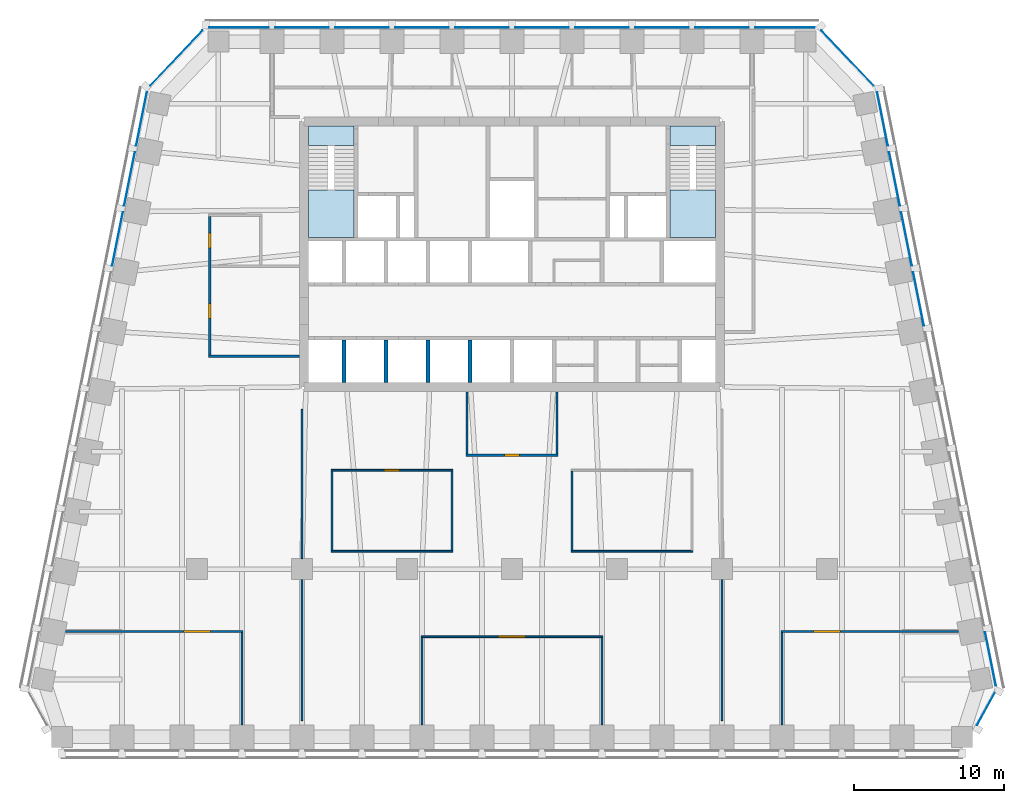
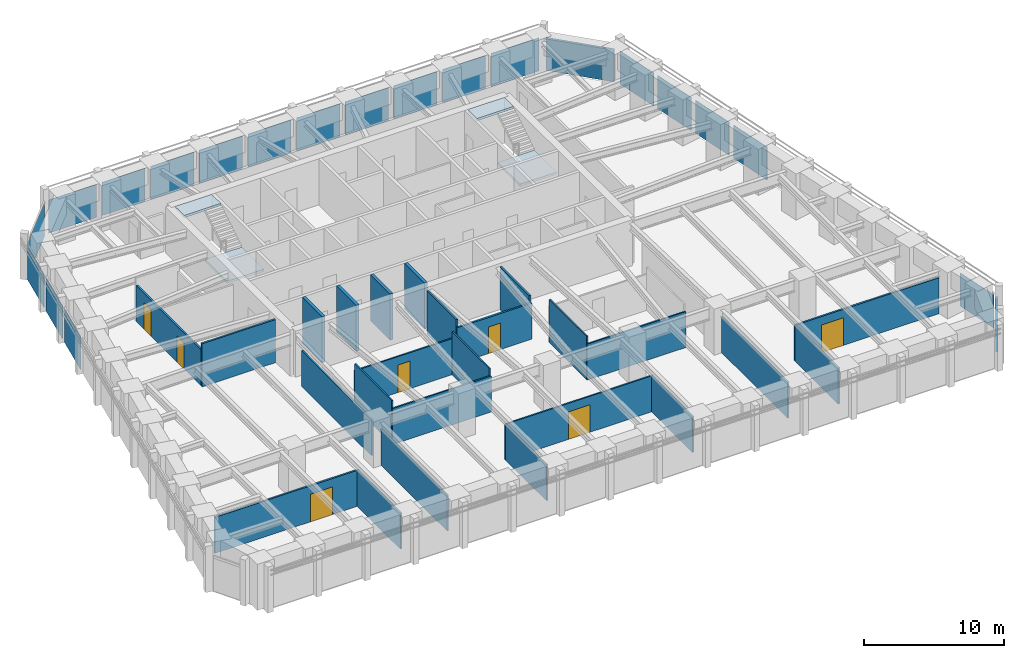
# One storey, part 5 of 10: 25 walls, 21 plates, 7 doors, 4 slabs, 7 openings, 8 elements without a shape of their own.
"""IFC4 building model written with IfcOpenShell, lengths in metres."""

from ifc_helpers import new_model, si_unit, direction, frame, frame_2d, origin, origin_2d, place, context, subcontext, project, spatial, polyline, rectangle, outline, extrude, material, layer, layer_set, type_object, element, fill, aggregate, save


model = new_model("IFC4")

# Units and contexts
model_context = context("Model", 3, precision=1e-05, world=origin(), true_north=direction((0.0, 1.0)))
body_context = subcontext(model_context, "Body", "Model", "MODEL_VIEW")
ifc_project = project(units=[si_unit("LENGTHUNIT", "METRE"), si_unit("AREAUNIT", "SQUARE_METRE"), si_unit("VOLUMEUNIT", "CUBIC_METRE"), si_unit("PLANEANGLEUNIT", "RADIAN"), si_unit("MASSUNIT", "GRAM", prefix="KILO")], contexts=[model_context])

# Site, building, storey
site_placement = place(None, origin())
site = spatial("IfcSite", under=ifc_project, at=site_placement, CompositionType="ELEMENT")
building_placement = place(site_placement, origin())
building = spatial("IfcBuilding", under=site, at=building_placement, Name="Isbrekke Arena Tower", CompositionType="ELEMENT")
storey_placement = place(building_placement, frame((0.0, 0.0, 238.0)))
storey = spatial("IfcBuildingStorey", under=building, at=storey_placement, Name="L55", CompositionType="ELEMENT", Elevation=238.0)

# Curtain wall, plate
ifc_material_1 = material(Name="Glazed aluminium curtain wall", Category="aluminium")
curtain_wall_type = type_object("IfcCurtainWallType", Name="CWH TOWER CURTAIN WALL HIGH ZONE", PredefinedType="USERDEFINED", material=ifc_material_1)
curtain_wall_1_placement = place(storey_placement, origin())
curtain_wall_1 = element("IfcCurtainWall", 1, at=curtain_wall_1_placement, inside=storey, type_object=curtain_wall_type, Name="CWH curtain wall L55-SE", ObjectType="TOWER CURTAIN WALL HIGH ZONE", PredefinedType="USERDEFINED")
ifc_material_2 = material(Name="Triple-glazed clear glass unit", Category="glass")
ifc_layer_1 = layer(ifc_material_2, 0.031982421875)
ifc_layer_set_1 = layer_set([ifc_layer_1], Name="CWH-P VISION PANEL")
plate_type = type_object("IfcPlateType", Name="CWH-P VISION PANEL", PredefinedType="CURTAIN_PANEL", material=ifc_layer_set_1)
plate_1_placement = place(storey_placement, frame((31.5908203125, -15.3154296875, 0.02001953125), z_axis=(0.0, 0.0, 1.0), x_axis=(0.481918749773, 0.876215908676, 0.0)))
plate_1 = element("IfcPlate", 2, at=plate_1_placement, type_object=plate_type, Name="CWH-P panel 1", PredefinedType="CURTAIN_PANEL", context=body_context, shape_type="SweptSolid", body=[
    extrude(rectangle(XDim=2.4423828125, YDim=0.031982421875, at=origin_2d()), origin(), (0.0, 0.0, 1.0), 2.8798828125),
])
aggregate(curtain_wall_1, [plate_1])

# Curtain wall, plates
curtain_wall_2_placement = place(storey_placement, origin())
curtain_wall_2 = element("IfcCurtainWall", 3, at=curtain_wall_2_placement, inside=storey, type_object=curtain_wall_type, Name="CWH curtain wall L55-E", ObjectType="TOWER CURTAIN WALL HIGH ZONE", PredefinedType="USERDEFINED")
plate_2_placement = place(storey_placement, frame((31.89794921875, -11.98046875, 0.02001953125), z_axis=(0.0, 0.0, 1.0), x_axis=(-0.196116135138, 0.980580675691, 0.0)))
plate_2 = element("IfcPlate", 4, at=plate_2_placement, type_object=plate_type, Name="CWH-P panel 1", PredefinedType="CURTAIN_PANEL", context=body_context, shape_type="SweptSolid", body=[
    extrude(rectangle(XDim=3.629150390625, YDim=0.031982421875, at=origin_2d()), origin(), (0.0, 0.0, 1.0), 2.8798828125),
])
plate_3_placement = place(storey_placement, frame((27.09814453125, 12.01953125, 0.02001953125), z_axis=(0.0, 0.0, 1.0), x_axis=(-0.196116135138, 0.980580675691, 0.0)))
plate_3 = element("IfcPlate", 5, at=plate_3_placement, type_object=plate_type, Name="CWH-P panel 7", PredefinedType="CURTAIN_PANEL", context=body_context, shape_type="SweptSolid", body=[
    extrude(rectangle(XDim=3.629150390625, YDim=0.031982421875, at=origin_2d()), origin(), (0.0, 0.0, 1.0), 2.8798828125),
])
plate_4_placement = place(storey_placement, frame((26.298095703125, 16.01953125, 0.02001953125), z_axis=(0.0, 0.0, 1.0), x_axis=(-0.196116135138, 0.980580675691, 0.0)))
plate_4 = element("IfcPlate", 6, at=plate_4_placement, type_object=plate_type, Name="CWH-P panel 8", PredefinedType="CURTAIN_PANEL", context=body_context, shape_type="SweptSolid", body=[
    extrude(rectangle(XDim=3.629150390625, YDim=0.031982421875, at=origin_2d()), origin(), (0.0, 0.0, 1.0), 2.8798828125),
])
plate_5_placement = place(storey_placement, frame((25.498046875, 20.01953125, 0.02001953125), z_axis=(0.0, 0.0, 1.0), x_axis=(-0.196116135138, 0.980580675691, 0.0)))
plate_5 = element("IfcPlate", 7, at=plate_5_placement, type_object=plate_type, Name="CWH-P panel 9", PredefinedType="CURTAIN_PANEL", context=body_context, shape_type="SweptSolid", body=[
    extrude(rectangle(XDim=3.629150390625, YDim=0.031982421875, at=origin_2d()), origin(), (0.0, 0.0, 1.0), 2.8798828125),
])
plate_6_placement = place(storey_placement, frame((24.697998046875, 24.01953125, 0.02001953125), z_axis=(0.0, 0.0, 1.0), x_axis=(-0.196116135138, 0.980580675691, 0.0)))
plate_6 = element("IfcPlate", 8, at=plate_6_placement, type_object=plate_type, Name="CWH-P panel 10", PredefinedType="CURTAIN_PANEL", context=body_context, shape_type="SweptSolid", body=[
    extrude(rectangle(XDim=3.629150390625, YDim=0.031982421875, at=origin_2d()), origin(), (0.0, 0.0, 1.0), 2.8798828125),
])
aggregate(curtain_wall_2, [plate_2, plate_3, plate_4, plate_5, plate_6])

# Curtain wall, plate
curtain_wall_3_placement = place(storey_placement, origin())
curtain_wall_3 = element("IfcCurtainWall", 9, at=curtain_wall_3_placement, inside=storey, type_object=curtain_wall_type, Name="CWH curtain wall L55-EN", ObjectType="TOWER CURTAIN WALL HIGH ZONE", PredefinedType="USERDEFINED")
plate_7_placement = place(storey_placement, frame((22.37255859375, 28.06884765625, 0.02001953125), z_axis=(0.0, 0.0, 1.0), x_axis=(-0.68874946192, 0.72499943359, 0.0)))
plate_7 = element("IfcPlate", 10, at=plate_7_placement, type_object=plate_type, Name="CWH-P panel 1", PredefinedType="CURTAIN_PANEL", context=body_context, shape_type="SweptSolid", body=[
    extrude(rectangle(XDim=5.067138671875, YDim=0.031982421875, at=origin_2d()), origin(), (0.0, 0.0, 1.0), 2.8798828125),
])
aggregate(curtain_wall_3, [plate_7])

# Curtain wall, plates
curtain_wall_4_placement = place(storey_placement, origin())
curtain_wall_4 = element("IfcCurtainWall", 11, at=curtain_wall_4_placement, inside=storey, type_object=curtain_wall_type, Name="CWH curtain wall L55-N", ObjectType="TOWER CURTAIN WALL HIGH ZONE", PredefinedType="USERDEFINED")
plate_8_placement = place(storey_placement, frame((18.199951171875, 30.10009765625, 0.02001953125), z_axis=(0.0, 0.0, 1.0), x_axis=(-1.0, 0.0, 0.0)))
plate_8 = element("IfcPlate", 12, at=plate_8_placement, type_object=plate_type, Name="CWH-P panel 1", PredefinedType="CURTAIN_PANEL", context=body_context, shape_type="SweptSolid", body=[
    extrude(rectangle(XDim=3.949951171875, YDim=0.031982421875, at=origin_2d()), origin(), (0.0, 0.0, 1.0), 2.8798828125),
])
plate_9_placement = place(storey_placement, frame((14.0, 30.10009765625, 0.02001953125), z_axis=(0.0, 0.0, 1.0), x_axis=(-1.0, 0.0, 0.0)))
plate_9 = element("IfcPlate", 13, at=plate_9_placement, type_object=plate_type, Name="CWH-P panel 2", PredefinedType="CURTAIN_PANEL", context=body_context, shape_type="SweptSolid", body=[
    extrude(rectangle(XDim=3.550048828125, YDim=0.031982421875, at=origin_2d()), origin(), (0.0, 0.0, 1.0), 2.8798828125),
])
plate_10_placement = place(storey_placement, frame((10.0, 30.10009765625, 0.02001953125), z_axis=(0.0, 0.0, 1.0), x_axis=(-1.0, 0.0, 0.0)))
plate_10 = element("IfcPlate", 14, at=plate_10_placement, type_object=plate_type, Name="CWH-P panel 3", PredefinedType="CURTAIN_PANEL", context=body_context, shape_type="SweptSolid", body=[
    extrude(rectangle(XDim=3.550048828125, YDim=0.031982421875, at=origin_2d()), origin(), (0.0, 0.0, 1.0), 2.8798828125),
])
plate_11_placement = place(storey_placement, frame((6.0, 30.10009765625, 0.02001953125), z_axis=(0.0, 0.0, 1.0), x_axis=(-1.0, 0.0, 0.0)))
plate_11 = element("IfcPlate", 15, at=plate_11_placement, type_object=plate_type, Name="CWH-P panel 4", PredefinedType="CURTAIN_PANEL", context=body_context, shape_type="SweptSolid", body=[
    extrude(rectangle(XDim=3.550048828125, YDim=0.031982421875, at=origin_2d()), origin(), (0.0, 0.0, 1.0), 2.8798828125),
])
plate_12_placement = place(storey_placement, frame((2.0, 30.10009765625, 0.02001953125), z_axis=(0.0, 0.0, 1.0), x_axis=(-1.0, 0.0, 0.0)))
plate_12 = element("IfcPlate", 16, at=plate_12_placement, type_object=plate_type, Name="CWH-P panel 5", PredefinedType="CURTAIN_PANEL", context=body_context, shape_type="SweptSolid", body=[
    extrude(rectangle(XDim=3.550048828125, YDim=0.031982421875, at=origin_2d()), origin(), (0.0, 0.0, 1.0), 2.8798828125),
])
plate_13_placement = place(storey_placement, frame((-2.0, 30.10009765625, 0.02001953125), z_axis=(0.0, 0.0, 1.0), x_axis=(-1.0, 0.0, 0.0)))
plate_13 = element("IfcPlate", 17, at=plate_13_placement, type_object=plate_type, Name="CWH-P panel 6", PredefinedType="CURTAIN_PANEL", context=body_context, shape_type="SweptSolid", body=[
    extrude(rectangle(XDim=3.550048828125, YDim=0.031982421875, at=origin_2d()), origin(), (0.0, 0.0, 1.0), 2.8798828125),
])
plate_14_placement = place(storey_placement, frame((-6.0, 30.10009765625, 0.02001953125), z_axis=(0.0, 0.0, 1.0), x_axis=(-1.0, 0.0, 0.0)))
plate_14 = element("IfcPlate", 18, at=plate_14_placement, type_object=plate_type, Name="CWH-P panel 7", PredefinedType="CURTAIN_PANEL", context=body_context, shape_type="SweptSolid", body=[
    extrude(rectangle(XDim=3.550048828125, YDim=0.031982421875, at=origin_2d()), origin(), (0.0, 0.0, 1.0), 2.8798828125),
])
plate_15_placement = place(storey_placement, frame((-10.0, 30.10009765625, 0.02001953125), z_axis=(0.0, 0.0, 1.0), x_axis=(-1.0, 0.0, 0.0)))
plate_15 = element("IfcPlate", 19, at=plate_15_placement, type_object=plate_type, Name="CWH-P panel 8", PredefinedType="CURTAIN_PANEL", context=body_context, shape_type="SweptSolid", body=[
    extrude(rectangle(XDim=3.550048828125, YDim=0.031982421875, at=origin_2d()), origin(), (0.0, 0.0, 1.0), 2.8798828125),
])
plate_16_placement = place(storey_placement, frame((-14.0, 30.10009765625, 0.02001953125), z_axis=(0.0, 0.0, 1.0), x_axis=(-1.0, 0.0, 0.0)))
plate_16 = element("IfcPlate", 20, at=plate_16_placement, type_object=plate_type, Name="CWH-P panel 9", PredefinedType="CURTAIN_PANEL", context=body_context, shape_type="SweptSolid", body=[
    extrude(rectangle(XDim=3.550048828125, YDim=0.031982421875, at=origin_2d()), origin(), (0.0, 0.0, 1.0), 2.8798828125),
])
plate_17_placement = place(storey_placement, frame((-18.199951171875, 30.10009765625, 0.02001953125), z_axis=(0.0, 0.0, 1.0), x_axis=(-1.0, 0.0, 0.0)))
plate_17 = element("IfcPlate", 21, at=plate_17_placement, type_object=plate_type, Name="CWH-P panel 10", PredefinedType="CURTAIN_PANEL", context=body_context, shape_type="SweptSolid", body=[
    extrude(rectangle(XDim=3.949951171875, YDim=0.031982421875, at=origin_2d()), origin(), (0.0, 0.0, 1.0), 2.8798828125),
])
aggregate(curtain_wall_4, [plate_8, plate_9, plate_10, plate_11, plate_12, plate_13, plate_14, plate_15, plate_16, plate_17])

# Curtain wall, plate
curtain_wall_5_placement = place(storey_placement, origin())
curtain_wall_5 = element("IfcCurtainWall", 22, at=curtain_wall_5_placement, inside=storey, type_object=curtain_wall_type, Name="CWH curtain wall L55-NW", ObjectType="TOWER CURTAIN WALL HIGH ZONE", PredefinedType="USERDEFINED")
plate_18_placement = place(storey_placement, frame((-22.37255859375, 28.06884765625, 0.02001953125), z_axis=(0.0, 0.0, 1.0), x_axis=(-0.68874946192, -0.72499943359, 0.0)))
plate_18 = element("IfcPlate", 23, at=plate_18_placement, type_object=plate_type, Name="CWH-P panel 1", PredefinedType="CURTAIN_PANEL", context=body_context, shape_type="SweptSolid", body=[
    extrude(rectangle(XDim=5.067138671875, YDim=0.031982421875, at=origin_2d()), origin(), (0.0, 0.0, 1.0), 2.8798828125),
])
aggregate(curtain_wall_5, [plate_18])

# Curtain wall, plates
curtain_wall_6_placement = place(storey_placement, origin())
curtain_wall_6 = element("IfcCurtainWall", 24, at=curtain_wall_6_placement, inside=storey, type_object=curtain_wall_type, Name="CWH curtain wall L55-W", ObjectType="TOWER CURTAIN WALL HIGH ZONE", PredefinedType="USERDEFINED")
plate_19_placement = place(storey_placement, frame((-24.697998046875, 24.01953125, 0.02001953125), z_axis=(0.0, 0.0, 1.0), x_axis=(-0.196116135138, -0.980580675691, 0.0)))
plate_19 = element("IfcPlate", 25, at=plate_19_placement, type_object=plate_type, Name="CWH-P panel 1", PredefinedType="CURTAIN_PANEL", context=body_context, shape_type="SweptSolid", body=[
    extrude(rectangle(XDim=3.629150390625, YDim=0.031982421875, at=origin_2d()), origin(), (0.0, 0.0, 1.0), 2.8798828125),
])
plate_20_placement = place(storey_placement, frame((-25.498046875, 20.01953125, 0.02001953125), z_axis=(0.0, 0.0, 1.0), x_axis=(-0.196116135138, -0.980580675691, 0.0)))
plate_20 = element("IfcPlate", 26, at=plate_20_placement, type_object=plate_type, Name="CWH-P panel 2", PredefinedType="CURTAIN_PANEL", context=body_context, shape_type="SweptSolid", body=[
    extrude(rectangle(XDim=3.629150390625, YDim=0.031982421875, at=origin_2d()), origin(), (0.0, 0.0, 1.0), 2.8798828125),
])
plate_21_placement = place(storey_placement, frame((-26.298095703125, 16.01953125, 0.02001953125), z_axis=(0.0, 0.0, 1.0), x_axis=(-0.196116135138, -0.980580675691, 0.0)))
plate_21 = element("IfcPlate", 27, at=plate_21_placement, type_object=plate_type, Name="CWH-P panel 3", PredefinedType="CURTAIN_PANEL", context=body_context, shape_type="SweptSolid", body=[
    extrude(rectangle(XDim=3.629150390625, YDim=0.031982421875, at=origin_2d()), origin(), (0.0, 0.0, 1.0), 2.8798828125),
])
aggregate(curtain_wall_6, [plate_19, plate_20, plate_21])

# Stair, slabs
ifc_material_3 = material(Name="Concrete B45 (C45/55) precast", Category="concrete")
stair_type = type_object("IfcStairType", Name="ST40 STAIR 1300 WIDE, 24 RISERS 167", PredefinedType="HALF_TURN_STAIR", material=ifc_material_3)
stair_1_placement = place(storey_placement, origin())
stair_1 = element("IfcStair", 28, at=stair_1_placement, inside=storey, type_object=stair_type, Name="ST1 stair L55", PredefinedType="HALF_TURN_STAIR")
ifc_material_4 = material(Name="Concrete B35 (C35/45)", Category="concrete")
ifc_layer_2 = layer(ifc_material_4, 0.199951171875)
ifc_layer_set_2 = layer_set([ifc_layer_2], Name="SL1 STAIR LANDING 200")
slab_type = type_object("IfcSlabType", Name="SL1 STAIR LANDING 200", PredefinedType="LANDING", material=ifc_layer_set_2)
slab_1_placement = place(storey_placement, frame((0.0, 0.0, 1.800048828125)))
slab_1 = element("IfcSlab", 29, at=slab_1_placement, type_object=slab_type, Name="ST1 landing 1", PredefinedType="LANDING", context=body_context, shape_type="SweptSolid", body=[
    extrude(outline(polyline([(-13.550048828125, 16.125), (-10.52490234375, 16.125), (-10.52490234375, 19.280029296875), (-13.550048828125, 19.280029296875), (-13.550048828125, 16.125)])), origin(), (0.0, 0.0, 1.0), 0.199951171875),
])
slab_2_placement = place(storey_placement, frame((0.0, 0.0, 3.800048828125)))
slab_2 = element("IfcSlab", 30, at=slab_2_placement, type_object=slab_type, Name="ST1 landing 2", PredefinedType="LANDING", context=body_context, shape_type="SweptSolid", body=[
    extrude(outline(polyline([(-13.550048828125, 22.25), (-10.52490234375, 22.25), (-10.52490234375, 23.550048828125), (-13.550048828125, 23.550048828125), (-13.550048828125, 22.25)])), origin(), (0.0, 0.0, 1.0), 0.199951171875),
])
aggregate(stair_1, [slab_1, slab_2])

stair_2_placement = place(storey_placement, origin())
stair_2 = element("IfcStair", 31, at=stair_2_placement, inside=storey, type_object=stair_type, Name="ST2 stair L55", PredefinedType="HALF_TURN_STAIR")
slab_3_placement = place(storey_placement, frame((0.0, 0.0, 1.800048828125)))
slab_3 = element("IfcSlab", 32, at=slab_3_placement, type_object=slab_type, Name="ST2 landing 1", PredefinedType="LANDING", context=body_context, shape_type="SweptSolid", body=[
    extrude(outline(polyline([(10.52490234375, 16.125), (13.550048828125, 16.125), (13.550048828125, 19.280029296875), (10.52490234375, 19.280029296875), (10.52490234375, 16.125)])), origin(), (0.0, 0.0, 1.0), 0.199951171875),
])
slab_4_placement = place(storey_placement, frame((0.0, 0.0, 3.800048828125)))
slab_4 = element("IfcSlab", 33, at=slab_4_placement, type_object=slab_type, Name="ST2 landing 2", PredefinedType="LANDING", context=body_context, shape_type="SweptSolid", body=[
    extrude(outline(polyline([(10.52490234375, 22.25), (13.550048828125, 22.25), (13.550048828125, 23.550048828125), (10.52490234375, 23.550048828125), (10.52490234375, 22.25)])), origin(), (0.0, 0.0, 1.0), 0.199951171875),
])
aggregate(stair_2, [slab_3, slab_4])

# Walls
ifc_material_5 = material(Name="Concrete B45 (C45/55)", Category="concrete")
ifc_layer_3 = layer(ifc_material_5, 0.25)
ifc_layer_set_3 = layer_set([ifc_layer_3], Name="CW6 SHAFT WALL 250")
wall_type_1 = type_object("IfcWallType", Name="CW6 SHAFT WALL 250", PredefinedType="SHEAR", material=ifc_layer_set_3)
for number, where, z_axis, x_axis, name in (
    (34, (-11.199951171875, 6.449951171875, 0.0), (0.0, 0.0, 1.0), (0.0, 1.0, 0.0), "Core wall SS01 L55"),
    (35, (-8.39990234375, 6.449951171875, 0.0), (0.0, 0.0, 1.0), (0.0, 1.0, 0.0), "Core wall SS02 L55"),
    (36, (-5.60009765625, 6.449951171875, 0.0), (0.0, 0.0, 1.0), (0.0, 1.0, 0.0), "Core wall SS03 L55"),
    (37, (-2.800048828125, 6.449951171875, 0.0), (0.0, 0.0, 1.0), (0.0, 1.0, 0.0), "Core wall SS04 L55"),
):
    element("IfcWall", number, at=place(storey_placement, frame(where, z_axis=z_axis, x_axis=x_axis)), inside=storey, type_object=wall_type_1, Name=name, PredefinedType="SHEAR", context=body_context, shape_type="SweptSolid", body=[
        extrude(rectangle(XDim=2.824951171875, YDim=0.25, at=frame_2d((1.41259765625, 0.0))), origin(), (0.0, 0.0, 1.0), 4.0),
    ])

# Wall, opening, door
ifc_material_6 = material(Name="Gypsum board partition on steel studs", Category="steel")
ifc_layer_4 = layer(ifc_material_6, 0.14990234375)
ifc_layer_set_4 = layer_set([ifc_layer_4], Name="IW1 PARTITION 150")
wall_type_2 = type_object("IfcWallType", Name="IW1 PARTITION 150", PredefinedType="PARTITIONING", material=ifc_layer_set_4)
wall_1_placement = place(storey_placement, frame((-29.77490234375, -10.159912109375, 0.0), z_axis=(0.0, 0.0, 1.0), x_axis=(1.0, 0.0, 0.0)))
wall_1 = element("IfcWall", 38, at=wall_1_placement, inside=storey, type_object=wall_type_2, Name="IW1 partition 150 L55", PredefinedType="PARTITIONING", context=body_context, shape_type="SweptSolid", body=[
    extrude(rectangle(XDim=11.849853515625, YDim=0.14990234375, at=frame_2d((5.9248046875, 0.0))), origin(), (0.0, 0.0, 1.0), 3.1298828125),
])
opening_1_placement = place(wall_1_placement, frame((7.874755859375, 0.0, 0.0)))
opening_1 = element("IfcOpeningElement", 39, at=opening_1_placement, cuts=wall_1, Name="Opening D13", PredefinedType="OPENING", context=body_context, shape_type="SweptSolid", body=[
    extrude(rectangle(XDim=1.800048828125, YDim=2.39990234375, at=frame_2d((0.89990234375, 1.199951171875))), frame((0.0, 0.08984375, 0.0), z_axis=(0.0, -1.0, 0.0), x_axis=(1.0, 0.0, 0.0)), (0.0, 0.0, 1.0), 0.1796875),
])
ifc_material_7 = material(Name="Timber door pair", Category="wood")
door_type_1 = type_object("IfcDoorType", Name="D13 DOUBLE ROOM DOOR 1800 x 2400", OperationType="DOUBLE_DOOR_SINGLE_SWING", PredefinedType="DOOR", material=ifc_material_7)
door_1_placement = place(opening_1_placement, origin())
door_1 = element("IfcDoor", 40, at=door_1_placement, inside=storey, type_object=door_type_1, Name="D13 executive office door L55", OperationType="DOUBLE_DOOR_SINGLE_SWING", OverallHeight=2.39990234375, OverallWidth=1.800048828125, PredefinedType="DOOR", context=body_context, shape_type="SweptSolid", body=[
    extrude(rectangle(XDim=1.800048828125, YDim=2.39990234375, at=frame_2d((0.89990234375, 1.199951171875))), frame((0.0, 0.07470703125, 0.0), z_axis=(0.0, -1.0, 0.0), x_axis=(1.0, 0.0, 0.0)), (0.0, 0.0, 1.0), 0.1494140625),
])
fill(opening_1, door_1)

wall_2_placement = place(storey_placement, frame((17.925048828125, -10.159912109375, 0.0), z_axis=(0.0, 0.0, 1.0), x_axis=(1.0, 0.0, 0.0)))
wall_2 = element("IfcWall", 41, at=wall_2_placement, inside=storey, type_object=wall_type_2, Name="IW1 partition 150 L55", PredefinedType="PARTITIONING", context=body_context, shape_type="SweptSolid", body=[
    extrude(rectangle(XDim=11.849853515625, YDim=0.14990234375, at=frame_2d((5.9248046875, 0.0))), origin(), (0.0, 0.0, 1.0), 3.1298828125),
])
opening_2_placement = place(wall_2_placement, frame((2.175048828125, 0.0, 0.0)))
opening_2 = element("IfcOpeningElement", 42, at=opening_2_placement, cuts=wall_2, Name="Opening D13", PredefinedType="OPENING", context=body_context, shape_type="SweptSolid", body=[
    extrude(rectangle(XDim=1.800048828125, YDim=2.39990234375, at=frame_2d((0.89990234375, 1.199951171875))), frame((0.0, 0.08984375, 0.0), z_axis=(0.0, -1.0, 0.0), x_axis=(1.0, 0.0, 0.0)), (0.0, 0.0, 1.0), 0.1796875),
])
door_2_placement = place(opening_2_placement, origin())
door_2 = element("IfcDoor", 43, at=door_2_placement, inside=storey, type_object=door_type_1, Name="D13 executive office door L55", OperationType="DOUBLE_DOOR_SINGLE_SWING", OverallHeight=2.39990234375, OverallWidth=1.800048828125, PredefinedType="DOOR", context=body_context, shape_type="SweptSolid", body=[
    extrude(rectangle(XDim=1.800048828125, YDim=2.39990234375, at=frame_2d((0.89990234375, 1.199951171875))), frame((0.0, 0.07470703125, 0.0), z_axis=(0.0, -1.0, 0.0), x_axis=(1.0, 0.0, 0.0)), (0.0, 0.0, 1.0), 0.1494140625),
])
fill(opening_2, door_2)

wall_3_placement = place(storey_placement, frame((-3.074951171875, 1.60009765625, 0.0), z_axis=(0.0, 0.0, 1.0), x_axis=(1.0, 0.0, 0.0)))
wall_3 = element("IfcWall", 44, at=wall_3_placement, inside=storey, type_object=wall_type_2, Name="IW1 partition 150 L55", PredefinedType="PARTITIONING", context=body_context, shape_type="SweptSolid", body=[
    extrude(rectangle(XDim=6.14990234375, YDim=0.14990234375, at=frame_2d((3.074951171875, 0.0))), origin(), (0.0, 0.0, 1.0), 3.1298828125),
])
opening_3_placement = place(wall_3_placement, frame((2.574951171875, 0.0, 0.0)))
opening_3 = element("IfcOpeningElement", 45, at=opening_3_placement, cuts=wall_3, Name="Opening D10", PredefinedType="OPENING", context=body_context, shape_type="SweptSolid", body=[
    extrude(rectangle(XDim=1.0, YDim=2.300048828125, at=frame_2d((0.5, 1.14990234375))), frame((0.0, 0.08984375, 0.0), z_axis=(0.0, -1.0, 0.0), x_axis=(1.0, 0.0, 0.0)), (0.0, 0.0, 1.0), 0.1796875),
])
ifc_material_8 = material(Name="Timber door", Category="wood")
door_type_2 = type_object("IfcDoorType", Name="D10 OFFICE DOOR 1000 x 2300", OperationType="SINGLE_SWING_LEFT", PredefinedType="DOOR", material=ifc_material_8)
door_3_placement = place(opening_3_placement, origin())
door_3 = element("IfcDoor", 46, at=door_3_placement, inside=storey, type_object=door_type_2, Name="D10 pantry door L55", OperationType="SINGLE_SWING_LEFT", OverallHeight=2.300048828125, OverallWidth=1.0, PredefinedType="DOOR", context=body_context, shape_type="SweptSolid", body=[
    extrude(rectangle(XDim=1.0, YDim=2.300048828125, at=frame_2d((0.5, 1.14990234375))), frame((0.0, 0.07470703125, 0.0), z_axis=(0.0, -1.0, 0.0), x_axis=(1.0, 0.0, 0.0)), (0.0, 0.0, 1.0), 0.1494140625),
])
fill(opening_3, door_3)

# Wall
wall_4_placement = place(storey_placement, frame((-20.22509765625, 8.199951171875, 0.0), z_axis=(0.0, 0.0, 1.0), x_axis=(1.0, 0.0, 0.0)))
element("IfcWall", 47, at=wall_4_placement, inside=storey, type_object=wall_type_2, Name="IW1 partition 150 L55", PredefinedType="PARTITIONING", context=body_context, shape_type="SweptSolid", body=[
    extrude(rectangle(XDim=6.045166015625, YDim=0.14990234375, at=frame_2d((3.0224609375, 0.0))), origin(), (0.0, 0.0, 1.0), 3.75),
])

# Wall, openings, doors
wall_5_placement = place(storey_placement, frame((-20.14990234375, 8.27490234375, 0.0), z_axis=(0.0, 0.0, 1.0), x_axis=(0.0, 1.0, 0.0)))
wall_5 = element("IfcWall", 48, at=wall_5_placement, inside=storey, type_object=wall_type_2, Name="IW1 partition 150 L55", PredefinedType="PARTITIONING", context=body_context, shape_type="SweptSolid", body=[
    extrude(rectangle(XDim=9.25, YDim=0.14990234375, at=frame_2d((4.625, 0.0))), origin(), (0.0, 0.0, 1.0), 3.1298828125),
])
opening_4_placement = place(wall_5_placement, frame((2.425048828125, 0.0, 0.0)))
opening_4 = element("IfcOpeningElement", 49, at=opening_4_placement, cuts=wall_5, Name="Opening D10", PredefinedType="OPENING", context=body_context, shape_type="SweptSolid", body=[
    extrude(rectangle(XDim=1.0, YDim=2.300048828125, at=frame_2d((0.5, 1.14990234375))), frame((0.0, 0.08984375, 0.0), z_axis=(0.0, -1.0, 0.0), x_axis=(1.0, 0.0, 0.0)), (0.0, 0.0, 1.0), 0.1796875),
])
opening_5_placement = place(wall_5_placement, frame((7.125, 0.0, 0.0)))
opening_5 = element("IfcOpeningElement", 50, at=opening_5_placement, cuts=wall_5, Name="Opening D10", PredefinedType="OPENING", context=body_context, shape_type="SweptSolid", body=[
    extrude(rectangle(XDim=1.0, YDim=2.300048828125, at=frame_2d((0.5, 1.14990234375))), frame((0.0, 0.08984375, 0.0), z_axis=(0.0, -1.0, 0.0), x_axis=(1.0, 0.0, 0.0)), (0.0, 0.0, 1.0), 0.1796875),
])
door_4_placement = place(opening_4_placement, origin())
door_4 = element("IfcDoor", 51, at=door_4_placement, inside=storey, type_object=door_type_2, Name="D10 reception door L55", OperationType="SINGLE_SWING_LEFT", OverallHeight=2.300048828125, OverallWidth=1.0, PredefinedType="DOOR", context=body_context, shape_type="SweptSolid", body=[
    extrude(rectangle(XDim=1.0, YDim=2.300048828125, at=frame_2d((0.5, 1.14990234375))), frame((0.0, 0.07470703125, 0.0), z_axis=(0.0, -1.0, 0.0), x_axis=(1.0, 0.0, 0.0)), (0.0, 0.0, 1.0), 0.1494140625),
])
fill(opening_4, door_4)
door_5_placement = place(opening_5_placement, origin())
door_5 = element("IfcDoor", 52, at=door_5_placement, inside=storey, type_object=door_type_2, Name="D10 cloakroom door L55", OperationType="SINGLE_SWING_LEFT", OverallHeight=2.300048828125, OverallWidth=1.0, PredefinedType="DOOR", context=body_context, shape_type="SweptSolid", body=[
    extrude(rectangle(XDim=1.0, YDim=2.300048828125, at=frame_2d((0.5, 1.14990234375))), frame((0.0, 0.07470703125, 0.0), z_axis=(0.0, -1.0, 0.0), x_axis=(1.0, 0.0, 0.0)), (0.0, 0.0, 1.0), 0.1494140625),
])
fill(opening_5, door_5)

# Walls
wall_6_placement = place(storey_placement, frame((-18.0, -16.375, 0.0), z_axis=(0.0, 0.0, 1.0), x_axis=(0.0, 1.0, 0.0)))
element("IfcWall", 53, at=wall_6_placement, inside=storey, type_object=wall_type_2, Name="IW1 partition 150 L55", PredefinedType="PARTITIONING", context=body_context, shape_type="SweptSolid", body=[
    extrude(rectangle(XDim=6.139892578125, YDim=0.14990234375, at=frame_2d((3.06982421875, 0.0))), origin(), (0.0, 0.0, 1.0), 3.1298828125),
])
for number, where, z_axis, x_axis, name in (
    (54, (-3.0, 1.675048828125, 0.0), (0.0, 0.0, 1.0), (0.0, 1.0, 0.0), "IW1 partition 150 L55"),
    (55, (3.0, 1.675048828125, 0.0), (0.0, 0.0, 1.0), (0.0, 1.0, 0.0), "IW1 partition 150 L55"),
):
    element("IfcWall", number, at=place(storey_placement, frame(where, z_axis=z_axis, x_axis=x_axis)), inside=storey, type_object=wall_type_2, Name=name, PredefinedType="PARTITIONING", context=body_context, shape_type="SweptSolid", body=[
        extrude(rectangle(XDim=4.14501953125, YDim=0.14990234375, at=frame_2d((2.072509765625, 0.0))), origin(), (0.0, 0.0, 1.0), 3.75),
    ])
wall_7_placement = place(storey_placement, frame((18.0, -16.375, 0.0), z_axis=(0.0, 0.0, 1.0), x_axis=(0.0, 1.0, 0.0)))
element("IfcWall", 56, at=wall_7_placement, inside=storey, type_object=wall_type_2, Name="IW1 partition 150 L55", PredefinedType="PARTITIONING", context=body_context, shape_type="SweptSolid", body=[
    extrude(rectangle(XDim=6.139892578125, YDim=0.14990234375, at=frame_2d((3.06982421875, 0.0))), origin(), (0.0, 0.0, 1.0), 3.1298828125),
])

# Wall, opening, door
ifc_material_9 = material(Name="Frameless glazed partition, laminated acoustic glass", Category="glass")
ifc_layer_5 = layer(ifc_material_9, 0.1201171875)
ifc_layer_set_5 = layer_set([ifc_layer_5], Name="IW2 GLAZED PARTITION 120")
wall_type_3 = type_object("IfcWallType", Name="IW2 GLAZED PARTITION 120", PredefinedType="PARTITIONING", material=ifc_layer_set_5)
wall_8_placement = place(storey_placement, frame((-6.06005859375, -10.5, 0.0), z_axis=(0.0, 0.0, 1.0), x_axis=(1.0, 0.0, 0.0)))
wall_8 = element("IfcWall", 57, at=wall_8_placement, inside=storey, type_object=wall_type_3, Name="IW2 glazed partition 120 L55", PredefinedType="PARTITIONING", context=body_context, shape_type="SweptSolid", body=[
    extrude(rectangle(XDim=12.1201171875, YDim=0.1201171875, at=frame_2d((6.06005859375, 0.0))), origin(), (0.0, 0.0, 1.0), 3.1298828125),
])
opening_6_placement = place(wall_8_placement, frame((5.159912109375, 0.0, 0.0)))
opening_6 = element("IfcOpeningElement", 58, at=opening_6_placement, cuts=wall_8, Name="Opening D13", PredefinedType="OPENING", context=body_context, shape_type="SweptSolid", body=[
    extrude(rectangle(XDim=1.800048828125, YDim=2.39990234375, at=frame_2d((0.89990234375, 1.199951171875))), frame((0.0, 0.074951171875, 0.0), z_axis=(0.0, -1.0, 0.0), x_axis=(1.0, 0.0, 0.0)), (0.0, 0.0, 1.0), 0.14990234375),
])
door_6_placement = place(opening_6_placement, origin())
door_6 = element("IfcDoor", 59, at=door_6_placement, inside=storey, type_object=door_type_1, Name="D13 boardroom door L55", OperationType="DOUBLE_DOOR_SINGLE_SWING", OverallHeight=2.39990234375, OverallWidth=1.800048828125, PredefinedType="DOOR", context=body_context, shape_type="SweptSolid", body=[
    extrude(rectangle(XDim=1.800048828125, YDim=2.39990234375, at=frame_2d((0.89990234375, 1.199951171875))), frame((0.0, 0.059814453125, 0.0), z_axis=(0.0, -1.0, 0.0), x_axis=(1.0, 0.0, 0.0)), (0.0, 0.0, 1.0), 0.11962890625),
])
fill(opening_6, door_6)

# Walls
for number, where, z_axis, x_axis, name in (
    (60, (-12.06005859375, -4.800048828125, 0.0), (0.0, 0.0, 1.0), (1.0, 0.0, 0.0), "IW2 glazed partition 120 L55"),
    (61, (3.93994140625, -4.800048828125, 0.0), (0.0, 0.0, 1.0), (1.0, 0.0, 0.0), "IW2 glazed partition 120 L55"),
):
    element("IfcWall", number, at=place(storey_placement, frame(where, z_axis=z_axis, x_axis=x_axis)), inside=storey, type_object=wall_type_3, Name=name, PredefinedType="PARTITIONING", context=body_context, shape_type="SweptSolid", body=[
        extrude(rectangle(XDim=8.1201171875, YDim=0.1201171875, at=frame_2d((4.06005859375, 0.0))), origin(), (0.0, 0.0, 1.0), 3.1298828125),
    ])

# Wall, opening, door
wall_9_placement = place(storey_placement, frame((-12.06005859375, 0.60009765625, 0.0), z_axis=(0.0, 0.0, 1.0), x_axis=(1.0, 0.0, 0.0)))
wall_9 = element("IfcWall", 62, at=wall_9_placement, inside=storey, type_object=wall_type_3, Name="IW2 glazed partition 120 L55", PredefinedType="PARTITIONING", context=body_context, shape_type="SweptSolid", body=[
    extrude(rectangle(XDim=8.1201171875, YDim=0.1201171875, at=frame_2d((4.06005859375, 0.0))), origin(), (0.0, 0.0, 1.0), 3.1298828125),
])
opening_7_placement = place(wall_9_placement, frame((3.56005859375, 0.0, 0.0)))
opening_7 = element("IfcOpeningElement", 63, at=opening_7_placement, cuts=wall_9, Name="Opening D11", PredefinedType="OPENING", context=body_context, shape_type="SweptSolid", body=[
    extrude(rectangle(XDim=1.0, YDim=2.39990234375, at=frame_2d((0.5, 1.199951171875))), frame((0.0, 0.074951171875, 0.0), z_axis=(0.0, -1.0, 0.0), x_axis=(1.0, 0.0, 0.0)), (0.0, 0.0, 1.0), 0.14990234375),
])
ifc_material_10 = material(Name="Frameless glazed door", Category="glass")
door_type_3 = type_object("IfcDoorType", Name="D11 GLAZED MEETING ROOM DOOR 1000 x 2400", OperationType="SINGLE_SWING_RIGHT", PredefinedType="DOOR", material=ifc_material_10)
door_7_placement = place(opening_7_placement, origin())
door_7 = element("IfcDoor", 64, at=door_7_placement, inside=storey, type_object=door_type_3, Name="D11 meeting room door L55", OperationType="SINGLE_SWING_RIGHT", OverallHeight=2.39990234375, OverallWidth=1.0, PredefinedType="DOOR", context=body_context, shape_type="SweptSolid", body=[
    extrude(rectangle(XDim=1.0, YDim=2.39990234375, at=frame_2d((0.5, 1.199951171875))), frame((0.0, 0.059814453125, 0.0), z_axis=(0.0, -1.0, 0.0), x_axis=(1.0, 0.0, 0.0)), (0.0, 0.0, 1.0), 0.11962890625),
])
fill(opening_7, door_7)

# Walls
wall_10_placement = place(storey_placement, frame((-12.0, -4.739990234375, 0.0), z_axis=(0.0, 0.0, 1.0), x_axis=(0.0, 1.0, 0.0)))
element("IfcWall", 65, at=wall_10_placement, inside=storey, type_object=wall_type_3, Name="IW2 glazed partition 120 L55", PredefinedType="PARTITIONING", context=body_context, shape_type="SweptSolid", body=[
    extrude(rectangle(XDim=5.280029296875, YDim=0.1201171875, at=frame_2d((2.64013671875, 0.0))), origin(), (0.0, 0.0, 1.0), 3.75),
])
wall_11_placement = place(storey_placement, frame((-6.0, -16.375, 0.0), z_axis=(0.0, 0.0, 1.0), x_axis=(0.0, 1.0, 0.0)))
element("IfcWall", 66, at=wall_11_placement, inside=storey, type_object=wall_type_3, Name="IW2 glazed partition 120 L55", PredefinedType="PARTITIONING", context=body_context, shape_type="SweptSolid", body=[
    extrude(rectangle(XDim=5.81494140625, YDim=0.1201171875, at=frame_2d((2.907470703125, 0.0))), origin(), (0.0, 0.0, 1.0), 3.1298828125),
])
for number, where, z_axis, x_axis, name in (
    (67, (-4.0, -4.739990234375, 0.0), (0.0, 0.0, 1.0), (0.0, 1.0, 0.0), "IW2 glazed partition 120 L55"),
    (68, (4.0, -4.739990234375, 0.0), (0.0, 0.0, 1.0), (0.0, 1.0, 0.0), "IW2 glazed partition 120 L55"),
):
    element("IfcWall", number, at=place(storey_placement, frame(where, z_axis=z_axis, x_axis=x_axis)), inside=storey, type_object=wall_type_3, Name=name, PredefinedType="PARTITIONING", context=body_context, shape_type="SweptSolid", body=[
        extrude(rectangle(XDim=5.280029296875, YDim=0.1201171875, at=frame_2d((2.64013671875, 0.0))), origin(), (0.0, 0.0, 1.0), 3.75),
    ])
wall_12_placement = place(storey_placement, frame((6.0, -16.375, 0.0), z_axis=(0.0, 0.0, 1.0), x_axis=(0.0, 1.0, 0.0)))
element("IfcWall", 69, at=wall_12_placement, inside=storey, type_object=wall_type_3, Name="IW2 glazed partition 120 L55", PredefinedType="PARTITIONING", context=body_context, shape_type="SweptSolid", body=[
    extrude(rectangle(XDim=5.81494140625, YDim=0.1201171875, at=frame_2d((2.907470703125, 0.0))), origin(), (0.0, 0.0, 1.0), 3.1298828125),
])
wall_13_placement = place(storey_placement, frame((-13.9990234375, -16.10009765625, 0.0), z_axis=(0.0, 0.0, 1.0), x_axis=(0.0, 1.0, 0.0)))
element("IfcWall", 70, at=wall_13_placement, inside=storey, type_object=wall_type_3, Name="IW2 glazed partition 120 L55", PredefinedType="PARTITIONING", context=body_context, shape_type="SweptSolid", body=[
    extrude(rectangle(XDim=9.400146484375, YDim=0.1201171875, at=frame_2d((4.7001953125, 0.0))), origin(), (0.0, 0.0, 1.0), 3.1298828125),
])
wall_14_placement = place(storey_placement, frame((-13.9990234375, -5.300048828125, 0.0), z_axis=(0.0, 0.0, 1.0), x_axis=(0.0, 1.0, 0.0)))
element("IfcWall", 71, at=wall_14_placement, inside=storey, type_object=wall_type_3, Name="IW2 glazed partition 120 L55", PredefinedType="PARTITIONING", context=body_context, shape_type="SweptSolid", body=[
    extrude(rectangle(XDim=9.949951171875, YDim=0.1201171875, at=frame_2d((4.97509765625, 0.0))), origin(), (0.0, 0.0, 1.0), 3.1298828125),
])
wall_15_placement = place(storey_placement, frame((14.0009765625, -16.10009765625, 0.0), z_axis=(0.0, 0.0, 1.0), x_axis=(0.0, 1.0, 0.0)))
element("IfcWall", 72, at=wall_15_placement, inside=storey, type_object=wall_type_3, Name="IW2 glazed partition 120 L55", PredefinedType="PARTITIONING", context=body_context, shape_type="SweptSolid", body=[
    extrude(rectangle(XDim=9.400146484375, YDim=0.1201171875, at=frame_2d((4.7001953125, 0.0))), origin(), (0.0, 0.0, 1.0), 3.1298828125),
])

save(model, "model.ifc")
